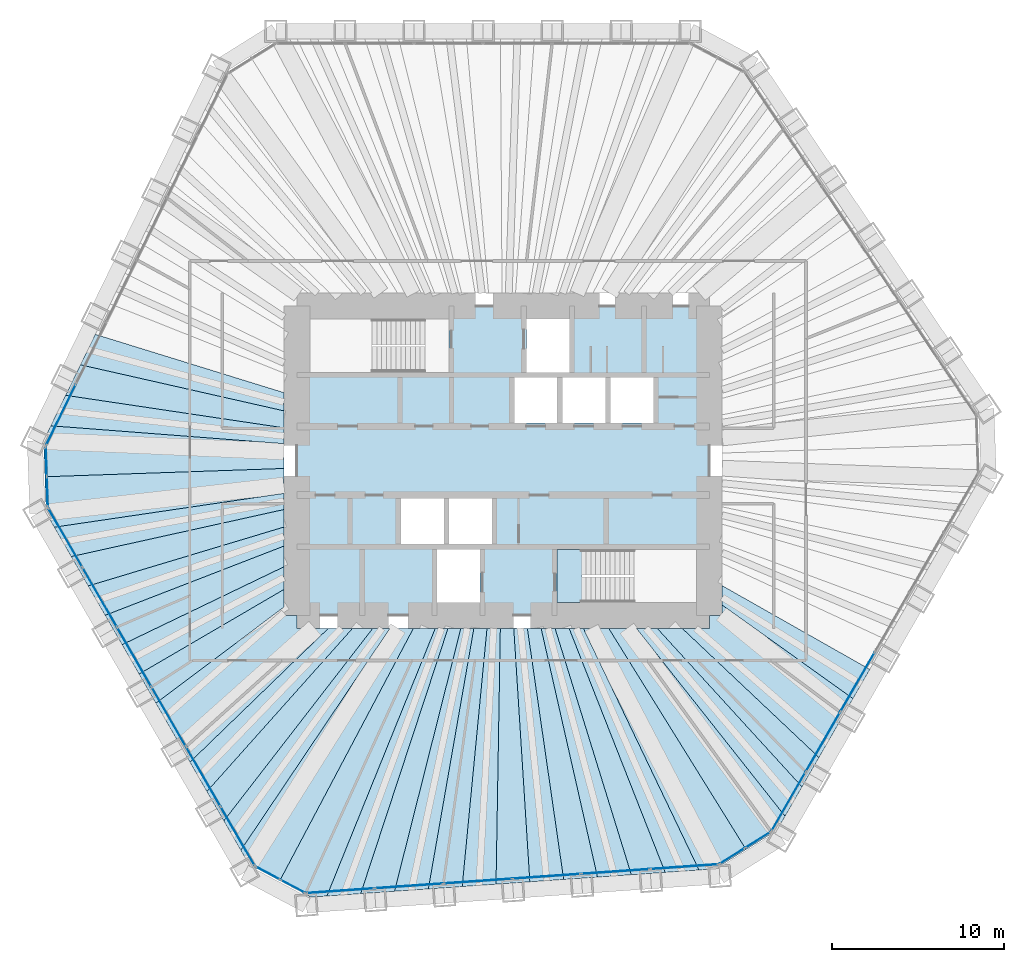
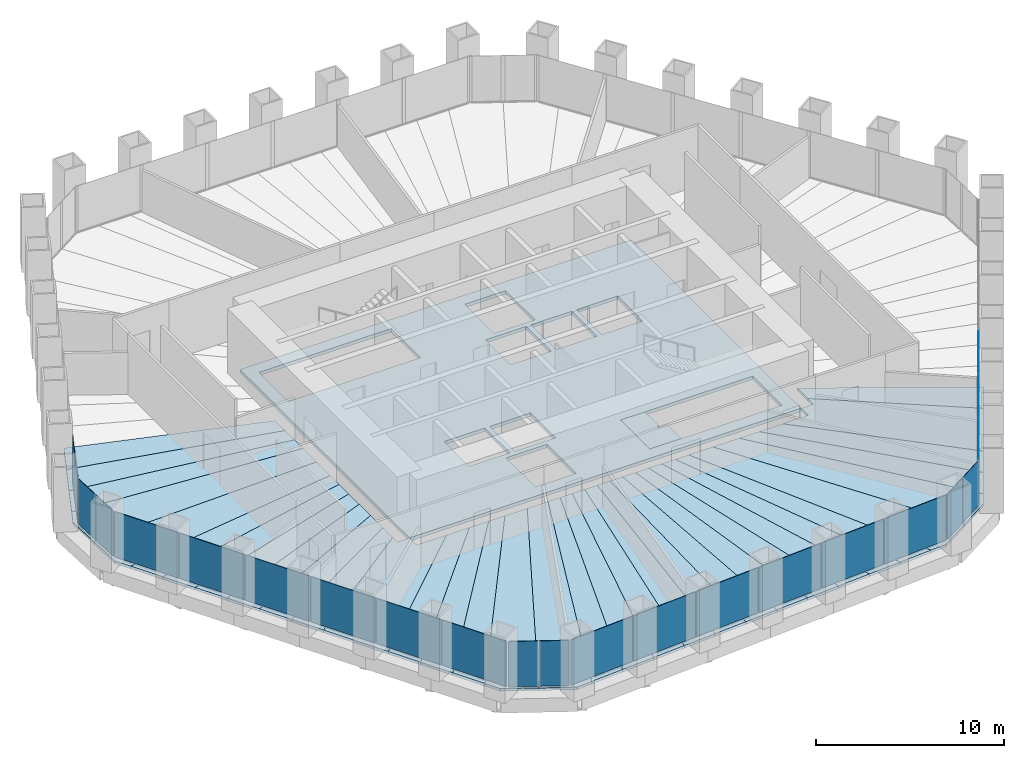
# One storey, part 7 of 12: 36 slabs, 22 plates, 8 elements without a shape of their own.
"""IFC4 building model written with IfcOpenShell, lengths in metres."""

from ifc_helpers import new_model, si_unit, direction, frame, origin, origin_2d, place, context, subcontext, project, spatial, polyline, rectangle, outline, extrude, material, layer, layer_set, type_object, element, aggregate, save


model = new_model("IFC4")

# Units and contexts
model_context = context("Model", 3, precision=1e-05, world=origin(), true_north=direction((0.0, 1.0)))
body_context = subcontext(model_context, "Body", "Model", "MODEL_VIEW")
ifc_project = project(units=[si_unit("LENGTHUNIT", "METRE"), si_unit("AREAUNIT", "SQUARE_METRE"), si_unit("VOLUMEUNIT", "CUBIC_METRE"), si_unit("PLANEANGLEUNIT", "RADIAN"), si_unit("MASSUNIT", "GRAM", prefix="KILO")], contexts=[model_context])

# Site, building, storey
site_placement = place(None, origin())
site = spatial("IfcSite", under=ifc_project, at=site_placement, CompositionType="ELEMENT")
building_placement = place(site_placement, origin())
building = spatial("IfcBuilding", under=site, at=building_placement, Name="Qingtian Harvest Tower", CompositionType="ELEMENT")
storey_placement = place(building_placement, frame((0.0, 0.0, 170.199951171875)))
storey = spatial("IfcBuildingStorey", under=building, at=storey_placement, Name="L36", CompositionType="ELEMENT", Elevation=170.199951171875)

# Slabs
ifc_material_1 = material(Name="Concrete fc' 35 MPa", Category="concrete")
ifc_layer_1 = layer(ifc_material_1, 0.169921875)
ifc_layer_set_1 = layer_set([ifc_layer_1], Name="Composite floor slab FS17 170")
slab_type_1 = type_object("IfcSlabType", Name="Composite floor slab FS17 170", PredefinedType="FLOOR", material=ifc_layer_set_1)
slab_1_placement = place(storey_placement, frame((0.0, 0.0, -0.169921875)))
element("IfcSlab", 1, at=slab_1_placement, inside=storey, type_object=slab_type_1, Name="Floor slab L36 panel D01", PredefinedType="FLOOR", context=body_context, shape_type="SweptSolid", body=[
    extrude(outline(polyline([(-26.667236328125, -0.931396484375), (-12.75, -0.447998046875), (-12.75, -1.89599609375), (-26.12109375, -3.866943359375), (-26.59326171875, -3.049072265625), (-26.667236328125, -0.931396484375)])), origin(), (0.0, 0.0, 1.0), 0.169921875),
])
slab_2_placement = place(storey_placement, frame((0.0, 0.0, -0.169921875)))
element("IfcSlab", 2, at=slab_2_placement, inside=storey, type_object=slab_type_1, Name="Floor slab L36 panel D02", PredefinedType="FLOOR", context=body_context, shape_type="SweptSolid", body=[
    extrude(outline(polyline([(-12.75, -2.838134765625), (-25.13427734375, -5.576416015625), (-26.12109375, -3.866943359375), (-12.75, -1.89599609375), (-12.75, -2.838134765625)])), origin(), (0.0, 0.0, 1.0), 0.169921875),
])
slab_3_placement = place(storey_placement, frame((0.0, 0.0, -0.169921875)))
element("IfcSlab", 3, at=slab_3_placement, inside=storey, type_object=slab_type_1, Name="Floor slab L36 panel D03", PredefinedType="FLOOR", context=body_context, shape_type="SweptSolid", body=[
    extrude(outline(polyline([(-12.75, -3.857666015625), (-24.147216796875, -7.28564453125), (-25.13427734375, -5.576416015625), (-12.75, -2.838134765625), (-12.75, -3.857666015625)])), origin(), (0.0, 0.0, 1.0), 0.169921875),
])
slab_4_placement = place(storey_placement, frame((0.0, 0.0, -0.169921875)))
element("IfcSlab", 4, at=slab_4_placement, inside=storey, type_object=slab_type_1, Name="Floor slab L36 panel D04", PredefinedType="FLOOR", context=body_context, shape_type="SweptSolid", body=[
    extrude(outline(polyline([(-12.75, -4.9638671875), (-23.160400390625, -8.9951171875), (-24.147216796875, -7.28564453125), (-12.75, -3.857666015625), (-12.75, -4.9638671875)])), origin(), (0.0, 0.0, 1.0), 0.169921875),
])
slab_5_placement = place(storey_placement, frame((0.0, 0.0, -0.169921875)))
element("IfcSlab", 5, at=slab_5_placement, inside=storey, type_object=slab_type_1, Name="Floor slab L36 panel D05", PredefinedType="FLOOR", context=body_context, shape_type="SweptSolid", body=[
    extrude(outline(polyline([(-12.75, -6.1689453125), (-22.17333984375, -10.70458984375), (-23.160400390625, -8.9951171875), (-12.75, -4.9638671875), (-12.75, -6.1689453125)])), origin(), (0.0, 0.0, 1.0), 0.169921875),
])
slab_6_placement = place(storey_placement, frame((0.0, 0.0, -0.169921875)))
element("IfcSlab", 6, at=slab_6_placement, inside=storey, type_object=slab_type_1, Name="Floor slab L36 panel D06", PredefinedType="FLOOR", context=body_context, shape_type="SweptSolid", body=[
    extrude(outline(polyline([(-12.75, -7.486328125), (-21.1865234375, -12.413818359375), (-22.17333984375, -10.70458984375), (-12.75, -6.1689453125), (-12.75, -7.486328125)])), origin(), (0.0, 0.0, 1.0), 0.169921875),
])
slab_7_placement = place(storey_placement, frame((0.0, 0.0, -0.169921875)))
element("IfcSlab", 7, at=slab_7_placement, inside=storey, type_object=slab_type_1, Name="Floor slab L36 panel D07", PredefinedType="FLOOR", context=body_context, shape_type="SweptSolid", body=[
    extrude(outline(polyline([(-12.75, -8.512451171875), (-20.20751953125, -14.109619140625), (-21.1865234375, -12.413818359375), (-12.75, -7.486328125), (-12.75, -8.512451171875)])), origin(), (0.0, 0.0, 1.0), 0.169921875),
])
slab_8_placement = place(storey_placement, frame((0.0, 0.0, -0.169921875)))
element("IfcSlab", 8, at=slab_8_placement, inside=storey, type_object=slab_type_1, Name="Floor slab L36 panel D09", PredefinedType="FLOOR", context=body_context, shape_type="SweptSolid", body=[
    extrude(outline(polyline([(-18.2265625, -17.54052734375), (-20.20751953125, -14.109619140625), (-12.75, -8.512451171875), (-12.75, -9.0), (-12.0, -9.0), (-12.0, -9.75), (-10.168212890625, -9.75), (-18.2265625, -17.54052734375)])), origin(), (0.0, 0.0, 1.0), 0.169921875),
])
slab_9_placement = place(storey_placement, frame((0.0, 0.0, -0.169921875)))
element("IfcSlab", 9, at=slab_9_placement, inside=storey, type_object=slab_type_1, Name="Floor slab L36 panel D10", PredefinedType="FLOOR", context=body_context, shape_type="SweptSolid", body=[
    extrude(outline(polyline([(-8.759521484375, -9.75), (-17.23974609375, -19.25), (-18.2265625, -17.54052734375), (-10.168212890625, -9.75), (-8.759521484375, -9.75)])), origin(), (0.0, 0.0, 1.0), 0.169921875),
])
slab_10_placement = place(storey_placement, frame((0.0, 0.0, -0.169921875)))
element("IfcSlab", 10, at=slab_10_placement, inside=storey, type_object=slab_type_1, Name="Floor slab L36 panel D11", PredefinedType="FLOOR", context=body_context, shape_type="SweptSolid", body=[
    extrude(outline(polyline([(-7.58203125, -9.75), (-16.252685546875, -20.95947265625), (-17.23974609375, -19.25), (-8.759521484375, -9.75), (-7.58203125, -9.75)])), origin(), (0.0, 0.0, 1.0), 0.169921875),
])
slab_11_placement = place(storey_placement, frame((0.0, 0.0, -0.169921875)))
element("IfcSlab", 11, at=slab_11_placement, inside=storey, type_object=slab_type_1, Name="Floor slab L36 panel D12", PredefinedType="FLOOR", context=body_context, shape_type="SweptSolid", body=[
    extrude(outline(polyline([(-6.5830078125, -9.75), (-15.265869140625, -22.6689453125), (-16.252685546875, -20.95947265625), (-7.58203125, -9.75), (-6.5830078125, -9.75)])), origin(), (0.0, 0.0, 1.0), 0.169921875),
])
slab_12_placement = place(storey_placement, frame((0.0, 0.0, -0.169921875)))
element("IfcSlab", 12, at=slab_12_placement, inside=storey, type_object=slab_type_1, Name="Floor slab L36 panel D13", PredefinedType="FLOOR", context=body_context, shape_type="SweptSolid", body=[
    extrude(outline(polyline([(-6.5830078125, -9.75), (-5.21875, -9.75), (-12.9970703125, -24.442138671875), (-14.79345703125, -23.487060546875), (-15.265869140625, -22.6689453125), (-6.5830078125, -9.75)])), origin(), (0.0, 0.0, 1.0), 0.169921875),
])
slab_13_placement = place(storey_placement, frame((0.0, 0.0, -0.169921875)))
element("IfcSlab", 13, at=slab_13_placement, inside=storey, type_object=slab_type_1, Name="Floor slab L36 panel D14", PredefinedType="FLOOR", context=body_context, shape_type="SweptSolid", body=[
    extrude(outline(polyline([(-5.21875, -9.75), (-3.947021484375, -9.75), (-10.25732421875, -25.332275390625), (-11.19921875, -25.398193359375), (-12.9970703125, -24.442138671875), (-5.21875, -9.75)])), origin(), (0.0, 0.0, 1.0), 0.169921875),
])
slab_14_placement = place(storey_placement, frame((0.0, 0.0, -0.169921875)))
element("IfcSlab", 14, at=slab_14_placement, inside=storey, type_object=slab_type_1, Name="Floor slab L36 panel D15", PredefinedType="FLOOR", context=body_context, shape_type="SweptSolid", body=[
    extrude(outline(polyline([(-3.20654296875, -9.75), (-8.288330078125, -25.194580078125), (-10.25732421875, -25.332275390625), (-3.947021484375, -9.75), (-3.20654296875, -9.75)])), origin(), (0.0, 0.0, 1.0), 0.169921875),
])
slab_15_placement = place(storey_placement, frame((0.0, 0.0, -0.169921875)))
element("IfcSlab", 15, at=slab_15_placement, inside=storey, type_object=slab_type_1, Name="Floor slab L36 panel D16", PredefinedType="FLOOR", context=body_context, shape_type="SweptSolid", body=[
    extrude(outline(polyline([(-2.4580078125, -9.75), (-6.3193359375, -25.056884765625), (-8.288330078125, -25.194580078125), (-3.20654296875, -9.75), (-2.4580078125, -9.75)])), origin(), (0.0, 0.0, 1.0), 0.169921875),
])
slab_16_placement = place(storey_placement, frame((0.0, 0.0, -0.169921875)))
element("IfcSlab", 16, at=slab_16_placement, inside=storey, type_object=slab_type_1, Name="Floor slab L36 panel D17", PredefinedType="FLOOR", context=body_context, shape_type="SweptSolid", body=[
    extrude(outline(polyline([(-1.701171875, -9.75), (-4.3505859375, -24.919189453125), (-6.3193359375, -25.056884765625), (-2.4580078125, -9.75), (-1.701171875, -9.75)])), origin(), (0.0, 0.0, 1.0), 0.169921875),
])
slab_17_placement = place(storey_placement, frame((0.0, 0.0, -0.169921875)))
element("IfcSlab", 17, at=slab_17_placement, inside=storey, type_object=slab_type_1, Name="Floor slab L36 panel D18", PredefinedType="FLOOR", context=body_context, shape_type="SweptSolid", body=[
    extrude(outline(polyline([(-0.93603515625, -9.75), (-2.381591796875, -24.781494140625), (-4.3505859375, -24.919189453125), (-1.701171875, -9.75), (-0.93603515625, -9.75)])), origin(), (0.0, 0.0, 1.0), 0.169921875),
])
slab_18_placement = place(storey_placement, frame((0.0, 0.0, -0.169921875)))
element("IfcSlab", 18, at=slab_18_placement, inside=storey, type_object=slab_type_1, Name="Floor slab L36 panel D19", PredefinedType="FLOOR", context=body_context, shape_type="SweptSolid", body=[
    extrude(outline(polyline([(-0.162109375, -9.75), (-0.41259765625, -24.643798828125), (-2.381591796875, -24.781494140625), (-0.93603515625, -9.75), (-0.162109375, -9.75)])), origin(), (0.0, 0.0, 1.0), 0.169921875),
])
slab_19_placement = place(storey_placement, frame((0.0, 0.0, -0.169921875)))
element("IfcSlab", 19, at=slab_19_placement, inside=storey, type_object=slab_type_1, Name="Floor slab L36 panel D20", PredefinedType="FLOOR", context=body_context, shape_type="SweptSolid", body=[
    extrude(outline(polyline([(0.620361328125, -9.75), (1.556396484375, -24.506103515625), (-0.41259765625, -24.643798828125), (-0.162109375, -9.75), (0.620361328125, -9.75)])), origin(), (0.0, 0.0, 1.0), 0.169921875),
])
slab_20_placement = place(storey_placement, frame((0.0, 0.0, -0.169921875)))
element("IfcSlab", 20, at=slab_20_placement, inside=storey, type_object=slab_type_1, Name="Floor slab L36 panel D21", PredefinedType="FLOOR", context=body_context, shape_type="SweptSolid", body=[
    extrude(outline(polyline([(1.41162109375, -9.75), (3.525390625, -24.368408203125), (1.556396484375, -24.506103515625), (0.620361328125, -9.75), (1.41162109375, -9.75)])), origin(), (0.0, 0.0, 1.0), 0.169921875),
])
slab_21_placement = place(storey_placement, frame((0.0, 0.0, -0.169921875)))
element("IfcSlab", 21, at=slab_21_placement, inside=storey, type_object=slab_type_1, Name="Floor slab L36 panel D22", PredefinedType="FLOOR", context=body_context, shape_type="SweptSolid", body=[
    extrude(outline(polyline([(2.2119140625, -9.75), (5.494384765625, -24.230712890625), (3.525390625, -24.368408203125), (1.41162109375, -9.75), (2.2119140625, -9.75)])), origin(), (0.0, 0.0, 1.0), 0.169921875),
])
slab_22_placement = place(storey_placement, frame((0.0, 0.0, -0.169921875)))
element("IfcSlab", 22, at=slab_22_placement, inside=storey, type_object=slab_type_1, Name="Floor slab L36 panel D23", PredefinedType="FLOOR", context=body_context, shape_type="SweptSolid", body=[
    extrude(outline(polyline([(3.021484375, -9.75), (7.46337890625, -24.093017578125), (5.494384765625, -24.230712890625), (2.2119140625, -9.75), (3.021484375, -9.75)])), origin(), (0.0, 0.0, 1.0), 0.169921875),
])
slab_23_placement = place(storey_placement, frame((0.0, 0.0, -0.169921875)))
element("IfcSlab", 23, at=slab_23_placement, inside=storey, type_object=slab_type_1, Name="Floor slab L36 panel D24", PredefinedType="FLOOR", context=body_context, shape_type="SweptSolid", body=[
    extrude(outline(polyline([(3.840087890625, -9.75), (9.43212890625, -23.955322265625), (7.46337890625, -24.093017578125), (3.021484375, -9.75), (3.840087890625, -9.75)])), origin(), (0.0, 0.0, 1.0), 0.169921875),
])
slab_24_placement = place(storey_placement, frame((0.0, 0.0, -0.169921875)))
element("IfcSlab", 24, at=slab_24_placement, inside=storey, type_object=slab_type_1, Name="Floor slab L36 panel D25", PredefinedType="FLOOR", context=body_context, shape_type="SweptSolid", body=[
    extrude(outline(polyline([(4.66845703125, -9.75), (11.401123046875, -23.817626953125), (9.43212890625, -23.955322265625), (3.840087890625, -9.75), (4.66845703125, -9.75)])), origin(), (0.0, 0.0, 1.0), 0.169921875),
])
slab_25_placement = place(storey_placement, frame((0.0, 0.0, -0.169921875)))
element("IfcSlab", 25, at=slab_25_placement, inside=storey, type_object=slab_type_1, Name="Floor slab L36 panel D26", PredefinedType="FLOOR", context=body_context, shape_type="SweptSolid", body=[
    extrude(outline(polyline([(4.66845703125, -9.75), (6.14404296875, -9.75), (14.141357421875, -22.628173828125), (12.343017578125, -23.751953125), (11.401123046875, -23.817626953125), (4.66845703125, -9.75)])), origin(), (0.0, 0.0, 1.0), 0.169921875),
])
slab_26_placement = place(storey_placement, frame((0.0, 0.0, -0.169921875)))
element("IfcSlab", 26, at=slab_26_placement, inside=storey, type_object=slab_type_1, Name="Floor slab L36 panel D27", PredefinedType="FLOOR", context=body_context, shape_type="SweptSolid", body=[
    extrude(outline(polyline([(6.14404296875, -9.75), (7.756103515625, -9.75), (16.40966796875, -20.687744140625), (15.937255859375, -21.505859375), (14.141357421875, -22.628173828125), (6.14404296875, -9.75)])), origin(), (0.0, 0.0, 1.0), 0.169921875),
])
slab_27_placement = place(storey_placement, frame((0.0, 0.0, -0.169921875)))
element("IfcSlab", 27, at=slab_27_placement, inside=storey, type_object=slab_type_1, Name="Floor slab L36 panel D28", PredefinedType="FLOOR", context=body_context, shape_type="SweptSolid", body=[
    extrude(outline(polyline([(8.966552734375, -9.75), (17.396484375, -18.978271484375), (16.40966796875, -20.687744140625), (7.756103515625, -9.75), (8.966552734375, -9.75)])), origin(), (0.0, 0.0, 1.0), 0.169921875),
])
slab_28_placement = place(storey_placement, frame((0.0, 0.0, -0.169921875)))
element("IfcSlab", 28, at=slab_28_placement, inside=storey, type_object=slab_type_1, Name="Floor slab L36 panel D29", PredefinedType="FLOOR", context=body_context, shape_type="SweptSolid", body=[
    extrude(outline(polyline([(10.41796875, -9.75), (18.383544921875, -17.2685546875), (17.396484375, -18.978271484375), (8.966552734375, -9.75), (10.41796875, -9.75)])), origin(), (0.0, 0.0, 1.0), 0.169921875),
])
slab_29_placement = place(storey_placement, frame((0.0, 0.0, -0.169921875)))
element("IfcSlab", 29, at=slab_29_placement, inside=storey, type_object=slab_type_1, Name="Floor slab L36 panel D31", PredefinedType="FLOOR", context=body_context, shape_type="SweptSolid", body=[
    extrude(outline(polyline([(12.75, -8.398681640625), (20.362060546875, -13.841796875), (18.383544921875, -17.2685546875), (10.41796875, -9.75), (12.0, -9.75), (12.0, -9.0), (12.75, -9.0), (12.75, -8.398681640625)])), origin(), (0.0, 0.0, 1.0), 0.169921875),
])
slab_30_placement = place(storey_placement, frame((0.0, 0.0, -0.169921875)))
element("IfcSlab", 30, at=slab_30_placement, inside=storey, type_object=slab_type_1, Name="Floor slab L36 panel D32", PredefinedType="FLOOR", context=body_context, shape_type="SweptSolid", body=[
    extrude(outline(polyline([(12.75, -7.268798828125), (21.343505859375, -12.14208984375), (20.362060546875, -13.841796875), (12.75, -8.398681640625), (12.75, -7.268798828125)])), origin(), (0.0, 0.0, 1.0), 0.169921875),
])
slab_31_placement = place(storey_placement, frame((0.0, 0.0, -0.169921875)))
element("IfcSlab", 31, at=slab_31_placement, inside=storey, type_object=slab_type_1, Name="Floor slab L36 panel D75", PredefinedType="FLOOR", context=body_context, shape_type="SweptSolid", body=[
    extrude(outline(polyline([(-12.75, 2.903076171875), (-24.5966796875, 5.58349609375), (-23.7314453125, 7.357421875), (-12.75, 3.962646484375), (-12.75, 2.903076171875)])), origin(), (0.0, 0.0, 1.0), 0.169921875),
])
slab_32_placement = place(storey_placement, frame((0.0, 0.0, -0.169921875)))
element("IfcSlab", 32, at=slab_32_placement, inside=storey, type_object=slab_type_1, Name="Floor slab L36 panel D76", PredefinedType="FLOOR", context=body_context, shape_type="SweptSolid", body=[
    extrude(outline(polyline([(-12.75, 1.91552734375), (-25.4619140625, 3.809326171875), (-24.5966796875, 5.58349609375), (-12.75, 2.903076171875), (-12.75, 1.91552734375)])), origin(), (0.0, 0.0, 1.0), 0.169921875),
])
slab_33_placement = place(storey_placement, frame((0.0, 0.0, -0.169921875)))
element("IfcSlab", 33, at=slab_33_placement, inside=storey, type_object=slab_type_1, Name="Floor slab L36 panel D77", PredefinedType="FLOOR", context=body_context, shape_type="SweptSolid", body=[
    extrude(outline(polyline([(-12.75, 0.992919921875), (-26.3271484375, 2.035400390625), (-25.4619140625, 3.809326171875), (-12.75, 1.91552734375), (-12.75, 0.992919921875)])), origin(), (0.0, 0.0, 1.0), 0.169921875),
])
slab_34_placement = place(storey_placement, frame((0.0, 0.0, -0.169921875)))
element("IfcSlab", 34, at=slab_34_placement, inside=storey, type_object=slab_type_1, Name="Floor slab L36 panel D78", PredefinedType="FLOOR", context=body_context, shape_type="SweptSolid", body=[
    extrude(outline(polyline([(-12.75, 0.992919921875), (-12.75, -0.447998046875), (-26.667236328125, -0.931396484375), (-26.7412109375, 1.1865234375), (-26.3271484375, 2.035400390625), (-12.75, 0.992919921875)])), origin(), (0.0, 0.0, 1.0), 0.169921875),
])
ifc_material_2 = material(Name="Concrete fc' 35 MPa", Category="concrete")
ifc_layer_2 = layer(ifc_material_2, 0.219970703125)
ifc_layer_set_2 = layer_set([ifc_layer_2], Name="Core floor slab CS22 220")
slab_type_2 = type_object("IfcSlabType", Name="Core floor slab CS22 220", PredefinedType="FLOOR", material=ifc_layer_set_2)
slab_35_placement = place(storey_placement, frame((0.0, 0.0, -0.219970703125)))
element("IfcSlab", 35, at=slab_35_placement, inside=storey, type_object=slab_type_2, Name="Core floor slab L36", PredefinedType="FLOOR", context=body_context, shape_type="SweptSolid", body=[
    extrude(outline(polyline([(-12.0, -9.0), (12.0, -9.0), (12.0, 9.0), (-12.0, 9.0), (-12.0, -9.0)]), holes=[polyline([(-11.25, 5.14990234375), (-3.14990234375, 5.14990234375), (-3.14990234375, 8.25), (-11.25, 8.25), (-11.25, 5.14990234375)]), polyline([(3.14990234375, -8.25), (11.25, -8.25), (11.25, -5.14990234375), (3.14990234375, -5.14990234375), (3.14990234375, -8.25)]), polyline([(1.35009765625, 5.14990234375), (3.85009765625, 5.14990234375), (3.85009765625, 8.25), (1.35009765625, 8.25), (1.35009765625, 5.14990234375)]), polyline([(-3.85009765625, -8.25), (-1.35009765625, -8.25), (-1.35009765625, -5.14990234375), (-3.85009765625, -5.14990234375), (-3.85009765625, -8.25)]), polyline([(0.64990234375, 2.199951171875), (3.14990234375, 2.199951171875), (3.14990234375, 4.85009765625), (0.64990234375, 4.85009765625), (0.64990234375, 2.199951171875)]), polyline([(3.449951171875, 2.199951171875), (5.949951171875, 2.199951171875), (5.949951171875, 4.85009765625), (3.449951171875, 4.85009765625), (3.449951171875, 2.199951171875)]), polyline([(6.25, 2.199951171875), (8.75, 2.199951171875), (8.75, 4.85009765625), (6.25, 4.85009765625), (6.25, 2.199951171875)]), polyline([(-5.949951171875, -4.85009765625), (-3.449951171875, -4.85009765625), (-3.449951171875, -2.199951171875), (-5.949951171875, -2.199951171875), (-5.949951171875, -4.85009765625)]), polyline([(-3.14990234375, -4.85009765625), (-0.64990234375, -4.85009765625), (-0.64990234375, -2.199951171875), (-3.14990234375, -2.199951171875), (-3.14990234375, -4.85009765625)])]), origin(), (0.0, 0.0, 1.0), 0.219970703125),
])

# Curtain wall, plates
ifc_material_3 = material(Name="Bronze-anodised aluminium curtain wall", Category="aluminium")
curtain_wall_type = type_object("IfcCurtainWallType", Name="Curtain wall CW4 office", PredefinedType="USERDEFINED", material=ifc_material_3)
curtain_wall_1_placement = place(storey_placement, origin())
curtain_wall_1 = element("IfcCurtainWall", 36, at=curtain_wall_1_placement, inside=storey, type_object=curtain_wall_type, Name="Curtain wall CW4 L36 SE0-5", ObjectType="RECESSED CURTAIN WALL", PredefinedType="USERDEFINED")
ifc_material_4 = material(Name="Bronze-tinted laminated insulating glass", Category="glass")
ifc_layer_3 = layer(ifc_material_4, 0.030029296875)
ifc_layer_set_3 = layer_set([ifc_layer_3], Name="Glazed panel CWP tinted IGU")
plate_type = type_object("IfcPlateType", Name="Glazed panel CWP tinted IGU", PredefinedType="CURTAIN_PANEL", material=ifc_layer_set_3)
plate_1_placement = place(storey_placement, frame((20.621826171875, -12.8818359375, 0.06494140625), z_axis=(0.0, 0.0, 1.0), x_axis=(-0.5, -0.866025403784, 0.0)))
plate_1 = element("IfcPlate", 37, at=plate_1_placement, type_object=plate_type, Name="CW4 panel 4.1", PredefinedType="CURTAIN_PANEL", context=body_context, shape_type="SweptSolid", body=[
    extrude(rectangle(XDim=3.9541015625, YDim=0.030029296875, at=origin_2d()), origin(), (0.0, 0.0, 1.0), 2.93505859375),
])
plate_2_placement = place(storey_placement, frame((18.6123046875, -16.362548828125, 0.06494140625), z_axis=(0.0, 0.0, 1.0), x_axis=(-0.5, -0.866025403784, 0.0)))
plate_2 = element("IfcPlate", 38, at=plate_2_placement, type_object=plate_type, Name="CW4 panel 5.1", PredefinedType="CURTAIN_PANEL", context=body_context, shape_type="SweptSolid", body=[
    extrude(rectangle(XDim=3.9541015625, YDim=0.030029296875, at=origin_2d()), origin(), (0.0, 0.0, 1.0), 2.93505859375),
])
plate_3_placement = place(storey_placement, frame((16.61083984375, -19.8291015625, 0.06494140625), z_axis=(0.0, 0.0, 1.0), x_axis=(-0.5, -0.866025403784, 0.0)))
plate_3 = element("IfcPlate", 39, at=plate_3_placement, type_object=plate_type, Name="CW4 panel 6.1", PredefinedType="CURTAIN_PANEL", context=body_context, shape_type="SweptSolid", body=[
    extrude(rectangle(XDim=3.921630859375, YDim=0.030029296875, at=origin_2d()), origin(), (0.0, 0.0, 1.0), 2.93505859375),
])
aggregate(curtain_wall_1, [plate_1, plate_2, plate_3])

curtain_wall_2_placement = place(storey_placement, origin())
curtain_wall_2 = element("IfcCurtainWall", 40, at=curtain_wall_2_placement, inside=storey, type_object=curtain_wall_type, Name="Curtain wall CW4 L36 SEC", ObjectType="RECESSED CURTAIN WALL", PredefinedType="USERDEFINED")
plate_4_placement = place(storey_placement, frame((14.8251953125, -22.06640625, 0.06494140625), z_axis=(0.0, 0.0, 1.0), x_axis=(-0.848048096156, -0.529919264233, 0.0)))
plate_4 = element("IfcPlate", 41, at=plate_4_placement, type_object=plate_type, Name="CW4 panel 1.1", PredefinedType="CURTAIN_PANEL", context=body_context, shape_type="SweptSolid", body=[
    extrude(rectangle(XDim=1.69287109375, YDim=0.030029296875, at=origin_2d()), origin(), (0.0, 0.0, 1.0), 2.93505859375),
])
plate_5_placement = place(storey_placement, frame((13.334228515625, -22.998046875, 0.06494140625), z_axis=(0.0, 0.0, 1.0), x_axis=(-0.848048096156, -0.529919264233, 0.0)))
plate_5 = element("IfcPlate", 42, at=plate_5_placement, type_object=plate_type, Name="CW4 panel 2.1", PredefinedType="CURTAIN_PANEL", context=body_context, shape_type="SweptSolid", body=[
    extrude(rectangle(XDim=1.69287109375, YDim=0.030029296875, at=origin_2d()), origin(), (0.0, 0.0, 1.0), 2.93505859375),
])
aggregate(curtain_wall_2, [plate_4, plate_5])

curtain_wall_3_placement = place(storey_placement, origin())
curtain_wall_3 = element("IfcCurtainWall", 43, at=curtain_wall_3_placement, inside=storey, type_object=curtain_wall_type, Name="Curtain wall CW4 L36 S0-5", ObjectType="RECESSED CURTAIN WALL", PredefinedType="USERDEFINED")
plate_6_placement = place(storey_placement, frame((10.54052734375, -23.622314453125, 0.06494140625), z_axis=(0.0, 0.0, 1.0), x_axis=(-0.99756405026, -0.069756473744, 0.0)))
plate_6 = element("IfcPlate", 44, at=plate_6_placement, type_object=plate_type, Name="CW4 panel 1.1", PredefinedType="CURTAIN_PANEL", context=body_context, shape_type="SweptSolid", body=[
    extrude(rectangle(XDim=3.921630859375, YDim=0.030029296875, at=origin_2d()), origin(), (0.0, 0.0, 1.0), 2.93505859375),
])
plate_7_placement = place(storey_placement, frame((6.54736328125, -23.901611328125, 0.06494140625), z_axis=(0.0, 0.0, 1.0), x_axis=(-0.99756405026, -0.069756473744, 0.0)))
plate_7 = element("IfcPlate", 45, at=plate_7_placement, type_object=plate_type, Name="CW4 panel 2.1", PredefinedType="CURTAIN_PANEL", context=body_context, shape_type="SweptSolid", body=[
    extrude(rectangle(XDim=3.9541015625, YDim=0.030029296875, at=origin_2d()), origin(), (0.0, 0.0, 1.0), 2.93505859375),
])
plate_8_placement = place(storey_placement, frame((2.5380859375, -24.181884765625, 0.06494140625), z_axis=(0.0, 0.0, 1.0), x_axis=(-0.99756405026, -0.069756473744, 0.0)))
plate_8 = element("IfcPlate", 46, at=plate_8_placement, type_object=plate_type, Name="CW4 panel 3.1", PredefinedType="CURTAIN_PANEL", context=body_context, shape_type="SweptSolid", body=[
    extrude(rectangle(XDim=3.9541015625, YDim=0.030029296875, at=origin_2d()), origin(), (0.0, 0.0, 1.0), 2.93505859375),
])
plate_9_placement = place(storey_placement, frame((-1.47119140625, -24.462158203125, 0.06494140625), z_axis=(0.0, 0.0, 1.0), x_axis=(-0.99756405026, -0.069756473744, 0.0)))
plate_9 = element("IfcPlate", 47, at=plate_9_placement, type_object=plate_type, Name="CW4 panel 4.1", PredefinedType="CURTAIN_PANEL", context=body_context, shape_type="SweptSolid", body=[
    extrude(rectangle(XDim=3.9541015625, YDim=0.030029296875, at=origin_2d()), origin(), (0.0, 0.0, 1.0), 2.93505859375),
])
plate_10_placement = place(storey_placement, frame((-5.48046875, -24.74267578125, 0.06494140625), z_axis=(0.0, 0.0, 1.0), x_axis=(-0.99756405026, -0.069756473744, 0.0)))
plate_10 = element("IfcPlate", 48, at=plate_10_placement, type_object=plate_type, Name="CW4 panel 5.1", PredefinedType="CURTAIN_PANEL", context=body_context, shape_type="SweptSolid", body=[
    extrude(rectangle(XDim=3.9541015625, YDim=0.030029296875, at=origin_2d()), origin(), (0.0, 0.0, 1.0), 2.93505859375),
])
plate_11_placement = place(storey_placement, frame((-9.4736328125, -25.021728515625, 0.06494140625), z_axis=(0.0, 0.0, 1.0), x_axis=(-0.99756405026, -0.069756473744, 0.0)))
plate_11 = element("IfcPlate", 49, at=plate_11_placement, type_object=plate_type, Name="CW4 panel 6.1", PredefinedType="CURTAIN_PANEL", context=body_context, shape_type="SweptSolid", body=[
    extrude(rectangle(XDim=3.921630859375, YDim=0.030029296875, at=origin_2d()), origin(), (0.0, 0.0, 1.0), 2.93505859375),
])
aggregate(curtain_wall_3, [plate_6, plate_7, plate_8, plate_9, plate_10, plate_11])

curtain_wall_4_placement = place(storey_placement, origin())
curtain_wall_4 = element("IfcCurtainWall", 50, at=curtain_wall_4_placement, inside=storey, type_object=curtain_wall_type, Name="Curtain wall CW4 L36 SC", ObjectType="RECESSED CURTAIN WALL", PredefinedType="USERDEFINED")
plate_12_placement = place(storey_placement, frame((-12.24365234375, -24.764892578125, 0.06494140625), z_axis=(0.0, 0.0, 1.0), x_axis=(-0.882947592859, 0.469471562786, 0.0)))
plate_12 = element("IfcPlate", 51, at=plate_12_placement, type_object=plate_type, Name="CW4 panel 1.1", PredefinedType="CURTAIN_PANEL", context=body_context, shape_type="SweptSolid", body=[
    extrude(rectangle(XDim=1.56689453125, YDim=0.030029296875, at=origin_2d()), origin(), (0.0, 0.0, 1.0), 2.93505859375),
])
plate_13_placement = place(storey_placement, frame((-13.684326171875, -23.998779296875, 0.06494140625), z_axis=(0.0, 0.0, 1.0), x_axis=(-0.882947592859, 0.469471562786, 0.0)))
plate_13 = element("IfcPlate", 52, at=plate_13_placement, type_object=plate_type, Name="CW4 panel 2.1", PredefinedType="CURTAIN_PANEL", context=body_context, shape_type="SweptSolid", body=[
    extrude(rectangle(XDim=1.56689453125, YDim=0.030029296875, at=origin_2d()), origin(), (0.0, 0.0, 1.0), 2.93505859375),
])
aggregate(curtain_wall_4, [plate_12, plate_13])

curtain_wall_5_placement = place(storey_placement, origin())
curtain_wall_5 = element("IfcCurtainWall", 53, at=curtain_wall_5_placement, inside=storey, type_object=curtain_wall_type, Name="Curtain wall CW4 L36 SW0-5", ObjectType="RECESSED CURTAIN WALL", PredefinedType="USERDEFINED")
plate_14_placement = place(storey_placement, frame((-15.446533203125, -21.845947265625, 0.06494140625), z_axis=(0.0, 0.0, 1.0), x_axis=(-0.5, 0.866025403784, 0.0)))
plate_14 = element("IfcPlate", 54, at=plate_14_placement, type_object=plate_type, Name="CW4 panel 1.1", PredefinedType="CURTAIN_PANEL", context=body_context, shape_type="SweptSolid", body=[
    extrude(rectangle(XDim=3.921630859375, YDim=0.030029296875, at=origin_2d()), origin(), (0.0, 0.0, 1.0), 2.93505859375),
])
plate_15_placement = place(storey_placement, frame((-17.44775390625, -18.37939453125, 0.06494140625), z_axis=(0.0, 0.0, 1.0), x_axis=(-0.5, 0.866025403784, 0.0)))
plate_15 = element("IfcPlate", 55, at=plate_15_placement, type_object=plate_type, Name="CW4 panel 2.1", PredefinedType="CURTAIN_PANEL", context=body_context, shape_type="SweptSolid", body=[
    extrude(rectangle(XDim=3.9541015625, YDim=0.030029296875, at=origin_2d()), origin(), (0.0, 0.0, 1.0), 2.93505859375),
])
plate_16_placement = place(storey_placement, frame((-19.45751953125, -14.898681640625, 0.06494140625), z_axis=(0.0, 0.0, 1.0), x_axis=(-0.5, 0.866025403784, 0.0)))
plate_16 = element("IfcPlate", 56, at=plate_16_placement, type_object=plate_type, Name="CW4 panel 3.1", PredefinedType="CURTAIN_PANEL", context=body_context, shape_type="SweptSolid", body=[
    extrude(rectangle(XDim=3.9541015625, YDim=0.030029296875, at=origin_2d()), origin(), (0.0, 0.0, 1.0), 2.93505859375),
])
plate_17_placement = place(storey_placement, frame((-21.467041015625, -11.418212890625, 0.06494140625), z_axis=(0.0, 0.0, 1.0), x_axis=(-0.5, 0.866025403784, 0.0)))
plate_17 = element("IfcPlate", 57, at=plate_17_placement, type_object=plate_type, Name="CW4 panel 4.1", PredefinedType="CURTAIN_PANEL", context=body_context, shape_type="SweptSolid", body=[
    extrude(rectangle(XDim=3.9541015625, YDim=0.030029296875, at=origin_2d()), origin(), (0.0, 0.0, 1.0), 2.93505859375),
])
plate_18_placement = place(storey_placement, frame((-23.4765625, -7.9375, 0.06494140625), z_axis=(0.0, 0.0, 1.0), x_axis=(-0.5, 0.866025403784, 0.0)))
plate_18 = element("IfcPlate", 58, at=plate_18_placement, type_object=plate_type, Name="CW4 panel 5.1", PredefinedType="CURTAIN_PANEL", context=body_context, shape_type="SweptSolid", body=[
    extrude(rectangle(XDim=3.9541015625, YDim=0.030029296875, at=origin_2d()), origin(), (0.0, 0.0, 1.0), 2.93505859375),
])
plate_19_placement = place(storey_placement, frame((-25.477783203125, -4.470947265625, 0.06494140625), z_axis=(0.0, 0.0, 1.0), x_axis=(-0.5, 0.866025403784, 0.0)))
plate_19 = element("IfcPlate", 59, at=plate_19_placement, type_object=plate_type, Name="CW4 panel 6.1", PredefinedType="CURTAIN_PANEL", context=body_context, shape_type="SweptSolid", body=[
    extrude(rectangle(XDim=3.921630859375, YDim=0.030029296875, at=origin_2d()), origin(), (0.0, 0.0, 1.0), 2.93505859375),
])
aggregate(curtain_wall_5, [plate_14, plate_15, plate_16, plate_17, plate_18, plate_19])

curtain_wall_6_placement = place(storey_placement, origin())
curtain_wall_6 = element("IfcCurtainWall", 60, at=curtain_wall_6_placement, inside=storey, type_object=curtain_wall_type, Name="Curtain wall CW4 L36 SWC", ObjectType="RECESSED CURTAIN WALL", PredefinedType="USERDEFINED")
plate_20_placement = place(storey_placement, frame((-26.522705078125, -1.8056640625, 0.06494140625), z_axis=(0.0, 0.0, 1.0), x_axis=(-0.034899496703, 0.999390827019, 0.0)))
plate_20 = element("IfcPlate", 61, at=plate_20_placement, type_object=plate_type, Name="CW4 panel 1.1", PredefinedType="CURTAIN_PANEL", context=body_context, shape_type="SweptSolid", body=[
    extrude(rectangle(XDim=1.69287109375, YDim=0.030029296875, at=origin_2d()), origin(), (0.0, 0.0, 1.0), 2.93505859375),
])
plate_21_placement = place(storey_placement, frame((-26.583984375, -0.048828125, 0.06494140625), z_axis=(0.0, 0.0, 1.0), x_axis=(-0.034899496703, 0.999390827019, 0.0)))
plate_21 = element("IfcPlate", 62, at=plate_21_placement, type_object=plate_type, Name="CW4 panel 2.1", PredefinedType="CURTAIN_PANEL", context=body_context, shape_type="SweptSolid", body=[
    extrude(rectangle(XDim=1.69287109375, YDim=0.030029296875, at=origin_2d()), origin(), (0.0, 0.0, 1.0), 2.93505859375),
])
aggregate(curtain_wall_6, [plate_20, plate_21])

# Curtain wall, plate
curtain_wall_7_placement = place(storey_placement, origin())
curtain_wall_7 = element("IfcCurtainWall", 63, at=curtain_wall_7_placement, inside=storey, type_object=curtain_wall_type, Name="Curtain wall CW4 L36 NW0-5", ObjectType="RECESSED CURTAIN WALL", PredefinedType="USERDEFINED")
plate_22_placement = place(storey_placement, frame((-25.727783203125, 2.682861328125, 0.06494140625), z_axis=(0.0, 0.0, 1.0), x_axis=(0.438371146789, 0.898794046299, 0.0)))
plate_22 = element("IfcPlate", 64, at=plate_22_placement, type_object=plate_type, Name="CW4 panel 1.1", PredefinedType="CURTAIN_PANEL", context=body_context, shape_type="SweptSolid", body=[
    extrude(rectangle(XDim=3.921630859375, YDim=0.030029296875, at=origin_2d()), origin(), (0.0, 0.0, 1.0), 2.93505859375),
])
aggregate(curtain_wall_7, [plate_22])

# Stair, slab
ifc_material_5 = material(Name="Concrete fc' 35 MPa", Category="concrete")
stair_type = type_object("IfcStairType", Name="Special stair ST3 4200", PredefinedType="HALF_TURN_STAIR", material=ifc_material_5)
stair_placement = place(storey_placement, origin())
stair = element("IfcStair", 65, at=stair_placement, inside=storey, type_object=stair_type, Name="Special stair S2 L36", PredefinedType="HALF_TURN_STAIR")
ifc_material_6 = material(Name="Concrete fc' 35 MPa", Category="concrete")
ifc_layer_4 = layer(ifc_material_6, 0.199951171875)
ifc_layer_set_4 = layer_set([ifc_layer_4], Name="Stair landing SL2 200")
slab_type_3 = type_object("IfcSlabType", Name="Stair landing SL2 200", PredefinedType="LANDING", material=ifc_layer_set_4)
slab_36_placement = place(storey_placement, frame((0.0, 0.0, -0.199951171875)))
slab_36 = element("IfcSlab", 66, at=slab_36_placement, type_object=slab_type_3, Name="S2 landing 1", PredefinedType="LANDING", context=body_context, shape_type="SweptSolid", body=[
    extrude(outline(polyline([(5.0849609375, -8.25), (3.14990234375, -8.25), (3.14990234375, -5.14990234375), (4.64990234375, -5.14990234375), (4.64990234375, -6.64990234375), (4.550048828125, -6.64990234375), (4.550048828125, -6.75), (5.0849609375, -6.75), (5.0849609375, -8.25)])), origin(), (0.0, 0.0, 1.0), 0.199951171875),
])
aggregate(stair, [slab_36])

save(model, "model.ifc")
